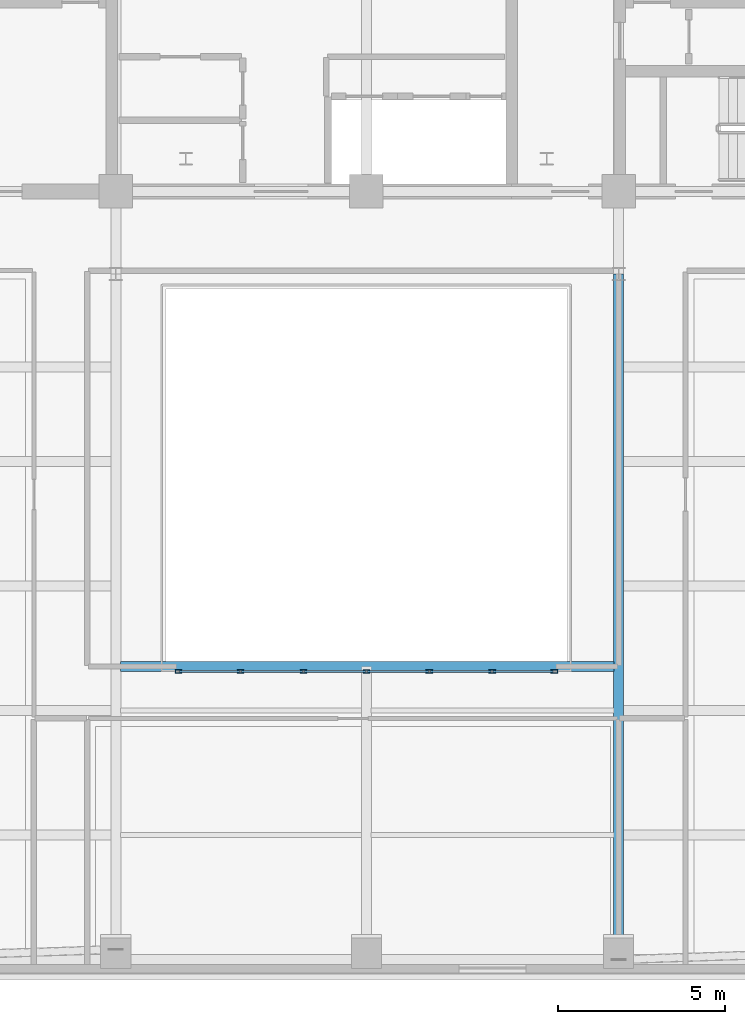
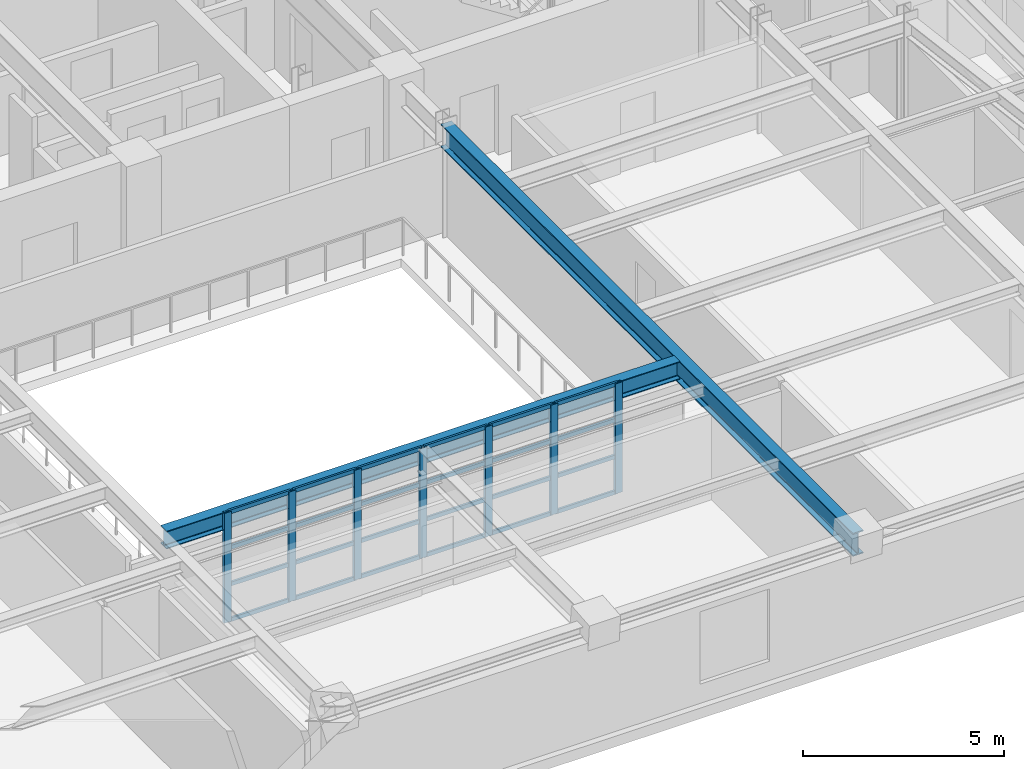
# One storey, part 2 of 13: 31 members, 2 beams, 1 element without a shape of its own.
"""IFC4 building model written with IfcOpenShell, lengths in metres."""

from ifc_helpers import new_model, si_unit, direction, frame, origin, origin_2d, place, context, subcontext, project, spatial, hollow_rectangle, i_section, extrude, material, layer, layer_set, material_profile, profile_set, type_object, element, aggregate, save


model = new_model("IFC4")

# Units and contexts
model_context = context("Model", 3, precision=1e-05, world=origin(), true_north=direction((0.0, 1.0)))
body_context = subcontext(model_context, "Body", "Model", "MODEL_VIEW")
ifc_project = project(units=[si_unit("LENGTHUNIT", "METRE"), si_unit("AREAUNIT", "SQUARE_METRE"), si_unit("VOLUMEUNIT", "CUBIC_METRE"), si_unit("PLANEANGLEUNIT", "RADIAN"), si_unit("MASSUNIT", "GRAM", prefix="KILO")], contexts=[model_context])

# Site, building, storey
site_placement = place(None, origin())
site = spatial("IfcSite", under=ifc_project, at=site_placement, CompositionType="ELEMENT")
building_placement = place(site_placement, origin())
building = spatial("IfcBuilding", under=site, at=building_placement, Name="Zarnavel Station Tower", CompositionType="ELEMENT")
storey_placement = place(building_placement, frame((0.0, 0.0, 232.800048828125)))
storey = spatial("IfcBuildingStorey", under=building, at=storey_placement, Name="L63", CompositionType="ELEMENT", Elevation=232.800048828125)

# Curtain wall, members
ifc_material_1 = material(Name="Aluminium Dark Anodised and Solar-Control Glass", Category="aluminium")
ifc_layer = layer(ifc_material_1, 0.179931640625)
ifc_layer_set = layer_set([ifc_layer], Name="CWS5")
curtain_wall_type = type_object("IfcCurtainWallType", Name="CWS5", PredefinedType="NOTDEFINED", material=ifc_layer_set)
curtain_wall_placement = place(storey_placement, origin())
curtain_wall = element("IfcCurtainWall", 1, at=curtain_wall_placement, inside=storey, type_object=curtain_wall_type, Name="L63 Curtain Wall CWS5-L63-AS", PredefinedType="NOTDEFINED")
ifc_material_2 = material(Name="Steel S355J2 (Black Fluoropolymer Coated)", Category="steel")
ifc_material_profile_1 = material_profile(ifc_material_2, hollow_rectangle(XDim=0.10009765625, YDim=0.199951171875, WallThickness=0.008056640625, at=origin_2d()), Name="RHS200x100x8")
ifc_profile_set_1 = profile_set([ifc_material_profile_1], Name="Steel S355J2 (Black Fluoropolymer Coated)")
member_type_1 = type_object("IfcMemberType", Name="CWS5_MUL", PredefinedType="MULLION", material=ifc_profile_set_1)
member_1_placement = place(storey_placement, frame((23.179931640625, 13.449951171875, 0.0), z_axis=(0.0, 0.0, 1.0), x_axis=(0.0, 1.0, 0.0)))
member_1 = element("IfcMember", 2, at=member_1_placement, type_object=member_type_1, Name="CW5 mullion 1", PredefinedType="MULLION", context=body_context, shape_type="SweptSolid", body=[
    extrude(hollow_rectangle(XDim=0.10009765625, YDim=0.199951171875, WallThickness=0.008056640625, at=origin_2d()), origin(), (0.0, 0.0, 1.0), 3.33984375),
])
member_2_placement = place(storey_placement, frame((25.033447265625, 13.449951171875, 0.0), z_axis=(0.0, 0.0, 1.0), x_axis=(0.0, 1.0, 0.0)))
member_2 = element("IfcMember", 3, at=member_2_placement, type_object=member_type_1, Name="CW5 mullion 2", PredefinedType="MULLION", context=body_context, shape_type="SweptSolid", body=[
    extrude(hollow_rectangle(XDim=0.10009765625, YDim=0.199951171875, WallThickness=0.008056640625, at=origin_2d()), origin(), (0.0, 0.0, 1.0), 3.33984375),
])
member_3_placement = place(storey_placement, frame((26.916748046875, 13.449951171875, 0.0), z_axis=(0.0, 0.0, 1.0), x_axis=(0.0, 1.0, 0.0)))
member_3 = element("IfcMember", 4, at=member_3_placement, type_object=member_type_1, Name="CW5 mullion 3", PredefinedType="MULLION", context=body_context, shape_type="SweptSolid", body=[
    extrude(hollow_rectangle(XDim=0.10009765625, YDim=0.199951171875, WallThickness=0.008056640625, at=origin_2d()), origin(), (0.0, 0.0, 1.0), 3.33984375),
])
member_4_placement = place(storey_placement, frame((28.800048828125, 13.449951171875, 0.0), z_axis=(0.0, 0.0, 1.0), x_axis=(0.0, 1.0, 0.0)))
member_4 = element("IfcMember", 5, at=member_4_placement, type_object=member_type_1, Name="CW5 mullion 4", PredefinedType="MULLION", context=body_context, shape_type="SweptSolid", body=[
    extrude(hollow_rectangle(XDim=0.10009765625, YDim=0.199951171875, WallThickness=0.008056640625, at=origin_2d()), origin(), (0.0, 0.0, 1.0), 3.33984375),
])
member_5_placement = place(storey_placement, frame((30.683349609375, 13.449951171875, 0.0), z_axis=(0.0, 0.0, 1.0), x_axis=(0.0, 1.0, 0.0)))
member_5 = element("IfcMember", 6, at=member_5_placement, type_object=member_type_1, Name="CW5 mullion 5", PredefinedType="MULLION", context=body_context, shape_type="SweptSolid", body=[
    extrude(hollow_rectangle(XDim=0.10009765625, YDim=0.199951171875, WallThickness=0.008056640625, at=origin_2d()), origin(), (0.0, 0.0, 1.0), 3.33984375),
])
member_6_placement = place(storey_placement, frame((32.566650390625, 13.449951171875, 0.0), z_axis=(0.0, 0.0, 1.0), x_axis=(0.0, 1.0, 0.0)))
member_6 = element("IfcMember", 7, at=member_6_placement, type_object=member_type_1, Name="CW5 mullion 6", PredefinedType="MULLION", context=body_context, shape_type="SweptSolid", body=[
    extrude(hollow_rectangle(XDim=0.10009765625, YDim=0.199951171875, WallThickness=0.008056640625, at=origin_2d()), origin(), (0.0, 0.0, 1.0), 3.33984375),
])
member_7_placement = place(storey_placement, frame((34.419921875, 13.449951171875, 0.0), z_axis=(0.0, 0.0, 1.0), x_axis=(0.0, 1.0, 0.0)))
member_7 = element("IfcMember", 8, at=member_7_placement, type_object=member_type_1, Name="CW5 mullion 7", PredefinedType="MULLION", context=body_context, shape_type="SweptSolid", body=[
    extrude(hollow_rectangle(XDim=0.10009765625, YDim=0.199951171875, WallThickness=0.008056640625, at=origin_2d()), origin(), (0.0, 0.0, 1.0), 3.33984375),
])
ifc_material_3 = material(Name="Steel S355J2 (Black Fluoropolymer Coated)", Category="steel")
ifc_material_profile_2 = material_profile(ifc_material_3, hollow_rectangle(XDim=0.06005859375, YDim=0.1201171875, WallThickness=0.0048828125, at=origin_2d()), Name="RHS120x60x5")
ifc_profile_set_2 = profile_set([ifc_material_profile_2], Name="Steel S355J2 (Black Fluoropolymer Coated)")
member_type_2 = type_object("IfcMemberType", Name="CWS5_TRN", PredefinedType="USERDEFINED", material=ifc_profile_set_2)
member_8_placement = place(storey_placement, frame((23.2099609375, 13.449951171875, 0.030029296875), z_axis=(1.0, 0.0, 0.0), x_axis=(0.0, 1.0, 0.0)))
member_8 = element("IfcMember", 9, at=member_8_placement, type_object=member_type_2, Name="CW5 transom 1.1", ObjectType="TRANSOM", PredefinedType="USERDEFINED", context=body_context, shape_type="SweptSolid", body=[
    extrude(hollow_rectangle(XDim=0.06005859375, YDim=0.1201171875, WallThickness=0.0048828125, at=origin_2d()), origin(), (0.0, 0.0, 1.0), 1.79345703125),
])
member_9_placement = place(storey_placement, frame((23.2099609375, 13.449951171875, 1.11328125), z_axis=(1.0, 0.0, 0.0), x_axis=(0.0, 1.0, 0.0)))
member_9 = element("IfcMember", 10, at=member_9_placement, type_object=member_type_2, Name="CW5 transom 1.2", ObjectType="TRANSOM", PredefinedType="USERDEFINED", context=body_context, shape_type="SweptSolid", body=[
    extrude(hollow_rectangle(XDim=0.06005859375, YDim=0.1201171875, WallThickness=0.0048828125, at=origin_2d()), origin(), (0.0, 0.0, 1.0), 1.79345703125),
])
member_10_placement = place(storey_placement, frame((23.2099609375, 13.449951171875, 2.2265625), z_axis=(1.0, 0.0, 0.0), x_axis=(0.0, 1.0, 0.0)))
member_10 = element("IfcMember", 11, at=member_10_placement, type_object=member_type_2, Name="CW5 transom 1.3", ObjectType="TRANSOM", PredefinedType="USERDEFINED", context=body_context, shape_type="SweptSolid", body=[
    extrude(hollow_rectangle(XDim=0.06005859375, YDim=0.1201171875, WallThickness=0.0048828125, at=origin_2d()), origin(), (0.0, 0.0, 1.0), 1.79345703125),
])
member_11_placement = place(storey_placement, frame((23.2099609375, 13.449951171875, 3.31005859375), z_axis=(1.0, 0.0, 0.0), x_axis=(0.0, 1.0, 0.0)))
member_11 = element("IfcMember", 12, at=member_11_placement, type_object=member_type_2, Name="CW5 transom 1.4", ObjectType="TRANSOM", PredefinedType="USERDEFINED", context=body_context, shape_type="SweptSolid", body=[
    extrude(hollow_rectangle(XDim=0.06005859375, YDim=0.1201171875, WallThickness=0.0048828125, at=origin_2d()), origin(), (0.0, 0.0, 1.0), 1.79345703125),
])
member_12_placement = place(storey_placement, frame((25.063232421875, 13.449951171875, 0.030029296875), z_axis=(1.0, 0.0, 0.0), x_axis=(0.0, 1.0, 0.0)))
member_12 = element("IfcMember", 13, at=member_12_placement, type_object=member_type_2, Name="CW5 transom 2.1", ObjectType="TRANSOM", PredefinedType="USERDEFINED", context=body_context, shape_type="SweptSolid", body=[
    extrude(hollow_rectangle(XDim=0.06005859375, YDim=0.1201171875, WallThickness=0.0048828125, at=origin_2d()), origin(), (0.0, 0.0, 1.0), 1.823486328125),
])
member_13_placement = place(storey_placement, frame((25.063232421875, 13.449951171875, 1.11328125), z_axis=(1.0, 0.0, 0.0), x_axis=(0.0, 1.0, 0.0)))
member_13 = element("IfcMember", 14, at=member_13_placement, type_object=member_type_2, Name="CW5 transom 2.2", ObjectType="TRANSOM", PredefinedType="USERDEFINED", context=body_context, shape_type="SweptSolid", body=[
    extrude(hollow_rectangle(XDim=0.06005859375, YDim=0.1201171875, WallThickness=0.0048828125, at=origin_2d()), origin(), (0.0, 0.0, 1.0), 1.823486328125),
])
member_14_placement = place(storey_placement, frame((25.063232421875, 13.449951171875, 2.2265625), z_axis=(1.0, 0.0, 0.0), x_axis=(0.0, 1.0, 0.0)))
member_14 = element("IfcMember", 15, at=member_14_placement, type_object=member_type_2, Name="CW5 transom 2.3", ObjectType="TRANSOM", PredefinedType="USERDEFINED", context=body_context, shape_type="SweptSolid", body=[
    extrude(hollow_rectangle(XDim=0.06005859375, YDim=0.1201171875, WallThickness=0.0048828125, at=origin_2d()), origin(), (0.0, 0.0, 1.0), 1.823486328125),
])
member_15_placement = place(storey_placement, frame((25.063232421875, 13.449951171875, 3.31005859375), z_axis=(1.0, 0.0, 0.0), x_axis=(0.0, 1.0, 0.0)))
member_15 = element("IfcMember", 16, at=member_15_placement, type_object=member_type_2, Name="CW5 transom 2.4", ObjectType="TRANSOM", PredefinedType="USERDEFINED", context=body_context, shape_type="SweptSolid", body=[
    extrude(hollow_rectangle(XDim=0.06005859375, YDim=0.1201171875, WallThickness=0.0048828125, at=origin_2d()), origin(), (0.0, 0.0, 1.0), 1.823486328125),
])
member_16_placement = place(storey_placement, frame((26.94677734375, 13.449951171875, 0.030029296875), z_axis=(1.0, 0.0, 0.0), x_axis=(0.0, 1.0, 0.0)))
member_16 = element("IfcMember", 17, at=member_16_placement, type_object=member_type_2, Name="CW5 transom 3.1", ObjectType="TRANSOM", PredefinedType="USERDEFINED", context=body_context, shape_type="SweptSolid", body=[
    extrude(hollow_rectangle(XDim=0.06005859375, YDim=0.1201171875, WallThickness=0.0048828125, at=origin_2d()), origin(), (0.0, 0.0, 1.0), 1.8232421875),
])
member_17_placement = place(storey_placement, frame((26.94677734375, 13.449951171875, 1.11328125), z_axis=(1.0, 0.0, 0.0), x_axis=(0.0, 1.0, 0.0)))
member_17 = element("IfcMember", 18, at=member_17_placement, type_object=member_type_2, Name="CW5 transom 3.2", ObjectType="TRANSOM", PredefinedType="USERDEFINED", context=body_context, shape_type="SweptSolid", body=[
    extrude(hollow_rectangle(XDim=0.06005859375, YDim=0.1201171875, WallThickness=0.0048828125, at=origin_2d()), origin(), (0.0, 0.0, 1.0), 1.8232421875),
])
member_18_placement = place(storey_placement, frame((26.94677734375, 13.449951171875, 2.2265625), z_axis=(1.0, 0.0, 0.0), x_axis=(0.0, 1.0, 0.0)))
member_18 = element("IfcMember", 19, at=member_18_placement, type_object=member_type_2, Name="CW5 transom 3.3", ObjectType="TRANSOM", PredefinedType="USERDEFINED", context=body_context, shape_type="SweptSolid", body=[
    extrude(hollow_rectangle(XDim=0.06005859375, YDim=0.1201171875, WallThickness=0.0048828125, at=origin_2d()), origin(), (0.0, 0.0, 1.0), 1.8232421875),
])
member_19_placement = place(storey_placement, frame((26.94677734375, 13.449951171875, 3.31005859375), z_axis=(1.0, 0.0, 0.0), x_axis=(0.0, 1.0, 0.0)))
member_19 = element("IfcMember", 20, at=member_19_placement, type_object=member_type_2, Name="CW5 transom 3.4", ObjectType="TRANSOM", PredefinedType="USERDEFINED", context=body_context, shape_type="SweptSolid", body=[
    extrude(hollow_rectangle(XDim=0.06005859375, YDim=0.1201171875, WallThickness=0.0048828125, at=origin_2d()), origin(), (0.0, 0.0, 1.0), 1.8232421875),
])
member_20_placement = place(storey_placement, frame((28.830078125, 13.449951171875, 0.030029296875), z_axis=(1.0, 0.0, 0.0), x_axis=(0.0, 1.0, 0.0)))
member_20 = element("IfcMember", 21, at=member_20_placement, type_object=member_type_2, Name="CW5 transom 4.1", ObjectType="TRANSOM", PredefinedType="USERDEFINED", context=body_context, shape_type="SweptSolid", body=[
    extrude(hollow_rectangle(XDim=0.06005859375, YDim=0.1201171875, WallThickness=0.0048828125, at=origin_2d()), origin(), (0.0, 0.0, 1.0), 1.8232421875),
])
member_21_placement = place(storey_placement, frame((28.830078125, 13.449951171875, 1.11328125), z_axis=(1.0, 0.0, 0.0), x_axis=(0.0, 1.0, 0.0)))
member_21 = element("IfcMember", 22, at=member_21_placement, type_object=member_type_2, Name="CW5 transom 4.2", ObjectType="TRANSOM", PredefinedType="USERDEFINED", context=body_context, shape_type="SweptSolid", body=[
    extrude(hollow_rectangle(XDim=0.06005859375, YDim=0.1201171875, WallThickness=0.0048828125, at=origin_2d()), origin(), (0.0, 0.0, 1.0), 1.8232421875),
])
member_22_placement = place(storey_placement, frame((28.830078125, 13.449951171875, 2.2265625), z_axis=(1.0, 0.0, 0.0), x_axis=(0.0, 1.0, 0.0)))
member_22 = element("IfcMember", 23, at=member_22_placement, type_object=member_type_2, Name="CW5 transom 4.3", ObjectType="TRANSOM", PredefinedType="USERDEFINED", context=body_context, shape_type="SweptSolid", body=[
    extrude(hollow_rectangle(XDim=0.06005859375, YDim=0.1201171875, WallThickness=0.0048828125, at=origin_2d()), origin(), (0.0, 0.0, 1.0), 1.8232421875),
])
member_23_placement = place(storey_placement, frame((28.830078125, 13.449951171875, 3.31005859375), z_axis=(1.0, 0.0, 0.0), x_axis=(0.0, 1.0, 0.0)))
member_23 = element("IfcMember", 24, at=member_23_placement, type_object=member_type_2, Name="CW5 transom 4.4", ObjectType="TRANSOM", PredefinedType="USERDEFINED", context=body_context, shape_type="SweptSolid", body=[
    extrude(hollow_rectangle(XDim=0.06005859375, YDim=0.1201171875, WallThickness=0.0048828125, at=origin_2d()), origin(), (0.0, 0.0, 1.0), 1.8232421875),
])
member_24_placement = place(storey_placement, frame((30.71337890625, 13.449951171875, 0.030029296875), z_axis=(1.0, 0.0, 0.0), x_axis=(0.0, 1.0, 0.0)))
member_24 = element("IfcMember", 25, at=member_24_placement, type_object=member_type_2, Name="CW5 transom 5.1", ObjectType="TRANSOM", PredefinedType="USERDEFINED", context=body_context, shape_type="SweptSolid", body=[
    extrude(hollow_rectangle(XDim=0.06005859375, YDim=0.1201171875, WallThickness=0.0048828125, at=origin_2d()), origin(), (0.0, 0.0, 1.0), 1.8232421875),
])
member_25_placement = place(storey_placement, frame((30.71337890625, 13.449951171875, 1.11328125), z_axis=(1.0, 0.0, 0.0), x_axis=(0.0, 1.0, 0.0)))
member_25 = element("IfcMember", 26, at=member_25_placement, type_object=member_type_2, Name="CW5 transom 5.2", ObjectType="TRANSOM", PredefinedType="USERDEFINED", context=body_context, shape_type="SweptSolid", body=[
    extrude(hollow_rectangle(XDim=0.06005859375, YDim=0.1201171875, WallThickness=0.0048828125, at=origin_2d()), origin(), (0.0, 0.0, 1.0), 1.8232421875),
])
member_26_placement = place(storey_placement, frame((30.71337890625, 13.449951171875, 2.2265625), z_axis=(1.0, 0.0, 0.0), x_axis=(0.0, 1.0, 0.0)))
member_26 = element("IfcMember", 27, at=member_26_placement, type_object=member_type_2, Name="CW5 transom 5.3", ObjectType="TRANSOM", PredefinedType="USERDEFINED", context=body_context, shape_type="SweptSolid", body=[
    extrude(hollow_rectangle(XDim=0.06005859375, YDim=0.1201171875, WallThickness=0.0048828125, at=origin_2d()), origin(), (0.0, 0.0, 1.0), 1.8232421875),
])
member_27_placement = place(storey_placement, frame((30.71337890625, 13.449951171875, 3.31005859375), z_axis=(1.0, 0.0, 0.0), x_axis=(0.0, 1.0, 0.0)))
member_27 = element("IfcMember", 28, at=member_27_placement, type_object=member_type_2, Name="CW5 transom 5.4", ObjectType="TRANSOM", PredefinedType="USERDEFINED", context=body_context, shape_type="SweptSolid", body=[
    extrude(hollow_rectangle(XDim=0.06005859375, YDim=0.1201171875, WallThickness=0.0048828125, at=origin_2d()), origin(), (0.0, 0.0, 1.0), 1.8232421875),
])
member_28_placement = place(storey_placement, frame((32.5966796875, 13.449951171875, 0.030029296875), z_axis=(1.0, 0.0, 0.0), x_axis=(0.0, 1.0, 0.0)))
member_28 = element("IfcMember", 29, at=member_28_placement, type_object=member_type_2, Name="CW5 transom 6.1", ObjectType="TRANSOM", PredefinedType="USERDEFINED", context=body_context, shape_type="SweptSolid", body=[
    extrude(hollow_rectangle(XDim=0.06005859375, YDim=0.1201171875, WallThickness=0.0048828125, at=origin_2d()), origin(), (0.0, 0.0, 1.0), 1.793212890625),
])
member_29_placement = place(storey_placement, frame((32.5966796875, 13.449951171875, 1.11328125), z_axis=(1.0, 0.0, 0.0), x_axis=(0.0, 1.0, 0.0)))
member_29 = element("IfcMember", 30, at=member_29_placement, type_object=member_type_2, Name="CW5 transom 6.2", ObjectType="TRANSOM", PredefinedType="USERDEFINED", context=body_context, shape_type="SweptSolid", body=[
    extrude(hollow_rectangle(XDim=0.06005859375, YDim=0.1201171875, WallThickness=0.0048828125, at=origin_2d()), origin(), (0.0, 0.0, 1.0), 1.793212890625),
])
member_30_placement = place(storey_placement, frame((32.5966796875, 13.449951171875, 2.2265625), z_axis=(1.0, 0.0, 0.0), x_axis=(0.0, 1.0, 0.0)))
member_30 = element("IfcMember", 31, at=member_30_placement, type_object=member_type_2, Name="CW5 transom 6.3", ObjectType="TRANSOM", PredefinedType="USERDEFINED", context=body_context, shape_type="SweptSolid", body=[
    extrude(hollow_rectangle(XDim=0.06005859375, YDim=0.1201171875, WallThickness=0.0048828125, at=origin_2d()), origin(), (0.0, 0.0, 1.0), 1.793212890625),
])
member_31_placement = place(storey_placement, frame((32.5966796875, 13.449951171875, 3.31005859375), z_axis=(1.0, 0.0, 0.0), x_axis=(0.0, 1.0, 0.0)))
member_31 = element("IfcMember", 32, at=member_31_placement, type_object=member_type_2, Name="CW5 transom 6.4", ObjectType="TRANSOM", PredefinedType="USERDEFINED", context=body_context, shape_type="SweptSolid", body=[
    extrude(hollow_rectangle(XDim=0.06005859375, YDim=0.1201171875, WallThickness=0.0048828125, at=origin_2d()), origin(), (0.0, 0.0, 1.0), 1.793212890625),
])
aggregate(curtain_wall, [member_1, member_2, member_3, member_4, member_5, member_6, member_7, member_8, member_9, member_10, member_11, member_12, member_13, member_14, member_15, member_16, member_17, member_18, member_19, member_20, member_21, member_22, member_23, member_24, member_25, member_26, member_27, member_28, member_29, member_30, member_31])

# Beams
ifc_material_4 = material(Name="Steel S355J2", Category="steel")
ifc_material_profile_3 = material_profile(ifc_material_4, i_section(OverallWidth=0.300048828125, OverallDepth=0.5400390625, WebThickness=0.012451171875, FlangeThickness=0.02392578125, FilletRadius=0.027099609375, at=origin_2d()), Name="HEA550")
ifc_profile_set_3 = profile_set([ifc_material_profile_3], Name="Steel S355J2")
beam_type_1 = type_object("IfcBeamType", Name="FB_HEA550", PredefinedType="BEAM", material=ifc_profile_set_3)
beam_1_placement = place(storey_placement, frame((21.445068359375, 13.60009765625, 3.070068359375), z_axis=(1.0, 0.0, 0.0), x_axis=(0.0, 1.0, 0.0)))
element("IfcBeam", 33, at=beam_1_placement, inside=storey, type_object=beam_type_1, Name="L63 Atrium South Edge Girder", PredefinedType="BEAM", context=body_context, shape_type="SweptSolid", body=[
    extrude(i_section(OverallWidth=0.300048828125, OverallDepth=0.5400390625, WebThickness=0.012451171875, FlangeThickness=0.02392578125, FilletRadius=0.027099609375, at=origin_2d()), origin(), (0.0, 0.0, 1.0), 14.760009765625),
])
ifc_material_5 = material(Name="Steel S355J2", Category="steel")
ifc_material_profile_4 = material_profile(ifc_material_5, i_section(OverallWidth=0.300048828125, OverallDepth=0.699951171875, WebThickness=0.01708984375, FlangeThickness=0.031982421875, FilletRadius=0.027099609375, at=origin_2d()), Name="HEB700")
ifc_profile_set_4 = profile_set([ifc_material_profile_4], Name="Steel S355J2")
beam_type_2 = type_object("IfcBeamType", Name="FG_HEB700", PredefinedType="USERDEFINED", material=ifc_profile_set_4)
beam_2_placement = place(storey_placement, frame((36.35009765625, 4.8291015625, 2.989990234375), z_axis=(0.0, 1.0, 0.0), x_axis=(-1.0, 0.0, 0.0)))
element("IfcBeam", 34, at=beam_2_placement, inside=storey, type_object=beam_type_2, Name="L63 South-Zone NS Girder 4", ObjectType="GIRDER", PredefinedType="USERDEFINED", context=body_context, shape_type="SweptSolid", body=[
    extrude(i_section(OverallWidth=0.300048828125, OverallDepth=0.699951171875, WebThickness=0.01708984375, FlangeThickness=0.031982421875, FilletRadius=0.027099609375, at=origin_2d()), origin(), (0.0, 0.0, 1.0), 20.52099609375),
])

save(model, "model.ifc")
